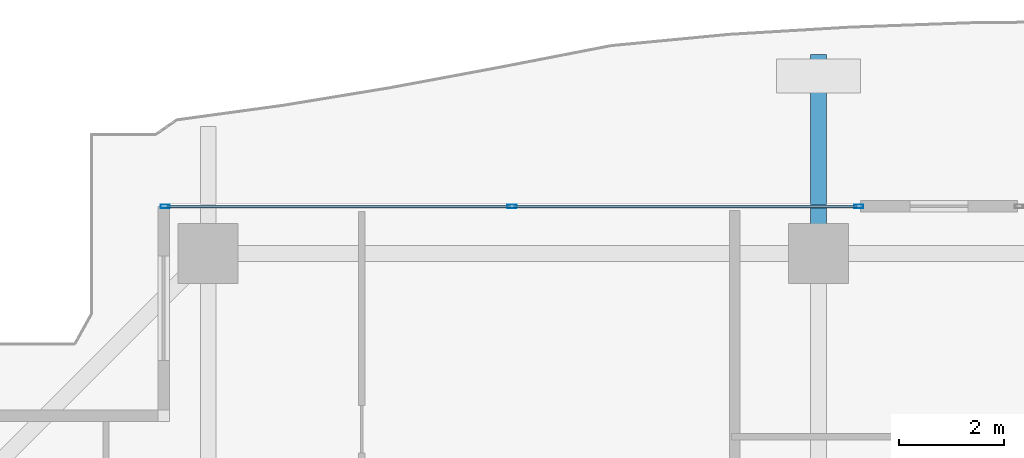
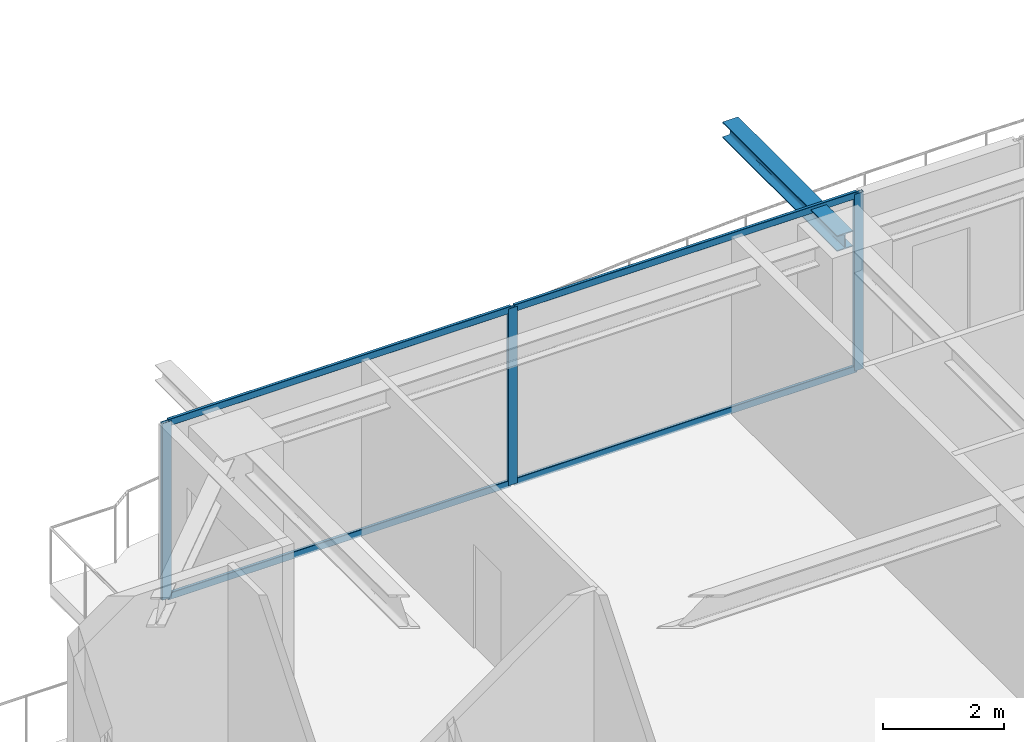
# One storey, part 20 of 37: 7 members, 1 beam, 1 element without a shape of its own.
"""IFC4 building model written with IfcOpenShell, lengths in metres."""

from ifc_helpers import new_model, si_unit, direction, frame, origin, origin_2d, place, context, subcontext, project, spatial, hollow_rectangle, i_section, extrude, source, transform, mapped, material, layer, layer_set, material_profile, profile_set, type_object, element, aggregate, save


model = new_model("IFC4")

# Units and contexts
model_context = context("Model", 3, precision=1e-05, world=origin(), true_north=direction((0.0, 1.0)))
body_context = subcontext(model_context, "Body", "Model", "MODEL_VIEW")
ifc_project = project(units=[si_unit("LENGTHUNIT", "METRE"), si_unit("AREAUNIT", "SQUARE_METRE"), si_unit("VOLUMEUNIT", "CUBIC_METRE"), si_unit("PLANEANGLEUNIT", "RADIAN"), si_unit("MASSUNIT", "GRAM", prefix="KILO")], contexts=[model_context])

# Site, building, storey
site_placement = place(None, origin())
site = spatial("IfcSite", under=ifc_project, at=site_placement, CompositionType="ELEMENT")
building_placement = place(site_placement, origin())
building = spatial("IfcBuilding", under=site, at=building_placement, Name="Serunith Strait Residences", CompositionType="ELEMENT")
storey_placement = place(building_placement, frame((0.0, 0.0, 279.75)))
storey = spatial("IfcBuildingStorey", under=building, at=storey_placement, Name="L70", CompositionType="ELEMENT", Elevation=279.75)

# Beam
ifc_material_1 = material(Name="Steel S355J2", Category="steel")
ifc_material_profile_1 = material_profile(ifc_material_1, i_section(OverallWidth=0.300048828125, OverallDepth=0.320068359375, WebThickness=0.011474609375, FlangeThickness=0.0205078125, FilletRadius=0.027099609375, at=origin_2d()), Name="HEB 320")
ifc_profile_set_1 = profile_set([ifc_material_profile_1], Name="Steel S355J2")
beam_type = type_object("IfcBeamType", Name="BM-HEB320", PredefinedType="BEAM", material=ifc_profile_set_1)
shared_shape_1 = source(origin(), body_context, "Body", "SweptSolid", [
    extrude(i_section(OverallWidth=0.300048828125, OverallDepth=0.320068359375, WebThickness=0.011474609375, FlangeThickness=0.0205078125, FilletRadius=0.027099609375, at=origin_2d()), origin(), (0.0, 0.0, 1.0), 3.800048828125),
])
beam_placement = place(storey_placement, frame((27.89990234375, 48.300048828125, 3.39697265625), z_axis=(0.0, 1.0, 0.0), x_axis=(-1.0, 0.0, 0.0)))
element("IfcBeam", 1, at=beam_placement, inside=storey, type_object=beam_type, Name="L71 Cantilevered Balcony Rib TC-N2", PredefinedType="BEAM", context=body_context, shape_type="MappedRepresentation", body=[
    mapped(shared_shape_1, transform((0.0, 0.0, 0.0), scale=1.0)),
])

# Curtain wall, members
ifc_material_2 = material(Name="Pale-Champagne Anodised Aluminium", Category="aluminium")
ifc_layer = layer(ifc_material_2, 0.199951171875, Name="Pale-Champagne Anodised Aluminium")
ifc_layer_set = layer_set([ifc_layer], Name="Pale-Champagne Anodised Aluminium")
curtain_wall_type = type_object("IfcCurtainWallType", Name="CW-SYS4", PredefinedType="NOTDEFINED", material=ifc_layer_set)
curtain_wall_placement = place(storey_placement, origin())
curtain_wall = element("IfcCurtainWall", 2, at=curtain_wall_placement, inside=storey, type_object=curtain_wall_type, Name="L70 N Unitised Fritted Curtain Wall", PredefinedType="NOTDEFINED")
ifc_material_profile_2 = material_profile(ifc_material_2, hollow_rectangle(XDim=0.06494140625, YDim=0.179931640625, WallThickness=0.00341796875, InnerFilletRadius=0.00537109375, OuterFilletRadius=0.0087890625, at=origin_2d()), Name="ALU 180x65x3.5")
ifc_profile_set_2 = profile_set([ifc_material_profile_2], Name="Pale-Champagne Anodised Aluminium")
member_type_1 = type_object("IfcMemberType", Name="CW-SYS4-MULL", PredefinedType="MULLION", material=ifc_profile_set_2)
shared_shape_2 = source(origin(), body_context, "Body", "SweptSolid", [
    extrude(hollow_rectangle(XDim=0.06494140625, YDim=0.179931640625, WallThickness=0.00341796875, InnerFilletRadius=0.00537109375, OuterFilletRadius=0.0087890625, at=origin_2d()), origin(), (0.0, 0.0, 1.0), 3.574951171875),
])
member_1_placement = place(storey_placement, frame((28.66748046875, 49.199951171875, 0.0), z_axis=(0.0, 0.0, 1.0), x_axis=(0.0, -1.0, 0.0)))
member_1 = element("IfcMember", 3, at=member_1_placement, type_object=member_type_1, Name="CW-4 mullion 1", PredefinedType="MULLION", context=body_context, shape_type="MappedRepresentation", body=[
    mapped(shared_shape_2, transform((0.0, 0.0, 0.0), scale=1.0)),
])
member_2_placement = place(storey_placement, frame((22.050048828125, 49.199951171875, 0.0), z_axis=(0.0, 0.0, 1.0), x_axis=(0.0, -1.0, 0.0)))
member_2 = element("IfcMember", 4, at=member_2_placement, type_object=member_type_1, Name="CW-4 mullion 2", PredefinedType="MULLION", context=body_context, shape_type="MappedRepresentation", body=[
    mapped(shared_shape_2, transform((0.0, 0.0, 0.0), scale=1.0)),
])
member_3_placement = place(storey_placement, frame((15.4326171875, 49.199951171875, 0.0), z_axis=(0.0, 0.0, 1.0), x_axis=(0.0, -1.0, 0.0)))
member_3 = element("IfcMember", 5, at=member_3_placement, type_object=member_type_1, Name="CW-4 mullion 3", PredefinedType="MULLION", context=body_context, shape_type="MappedRepresentation", body=[
    mapped(shared_shape_2, transform((0.0, 0.0, 0.0), scale=1.0)),
])
ifc_material_profile_3 = material_profile(ifc_material_2, hollow_rectangle(XDim=0.06005859375, YDim=0.139892578125, WallThickness=0.00341796875, InnerFilletRadius=0.00537109375, OuterFilletRadius=0.0087890625, at=origin_2d()), Name="ALU 140x60x3.5")
ifc_profile_set_3 = profile_set([ifc_material_profile_3], Name="Pale-Champagne Anodised Aluminium")
member_type_2 = type_object("IfcMemberType", Name="CW-SYS4-TRAN", PredefinedType="USERDEFINED", material=ifc_profile_set_3)
shared_shape_3 = source(origin(), body_context, "Body", "SweptSolid", [
    extrude(hollow_rectangle(XDim=0.06005859375, YDim=0.139892578125, WallThickness=0.00341796875, InnerFilletRadius=0.00537109375, OuterFilletRadius=0.0087890625, at=origin_2d()), origin(), (0.0, 0.0, 1.0), 6.552490234375),
])
member_4_placement = place(storey_placement, frame((28.635009765625, 49.199951171875, 0.030029296875), z_axis=(-1.0, 0.0, 0.0), x_axis=(0.0, -1.0, 0.0)))
member_4 = element("IfcMember", 6, at=member_4_placement, type_object=member_type_2, Name="CW-4 transom 1.1", ObjectType="TRANSOM", PredefinedType="USERDEFINED", context=body_context, shape_type="MappedRepresentation", body=[
    mapped(shared_shape_3, transform((0.0, 0.0, 0.0), scale=1.0)),
])
member_5_placement = place(storey_placement, frame((28.635009765625, 49.199951171875, 3.544921875), z_axis=(-1.0, 0.0, 0.0), x_axis=(0.0, -1.0, 0.0)))
member_5 = element("IfcMember", 7, at=member_5_placement, type_object=member_type_2, Name="CW-4 transom 1.2", ObjectType="TRANSOM", PredefinedType="USERDEFINED", context=body_context, shape_type="MappedRepresentation", body=[
    mapped(shared_shape_3, transform((0.0, 0.0, 0.0), scale=1.0)),
])
member_6_placement = place(storey_placement, frame((22.017578125, 49.199951171875, 0.030029296875), z_axis=(-1.0, 0.0, 0.0), x_axis=(0.0, -1.0, 0.0)))
member_6 = element("IfcMember", 8, at=member_6_placement, type_object=member_type_2, Name="CW-4 transom 2.1", ObjectType="TRANSOM", PredefinedType="USERDEFINED", context=body_context, shape_type="MappedRepresentation", body=[
    mapped(shared_shape_3, transform((0.0, 0.0, 0.0), scale=1.0)),
])
member_7_placement = place(storey_placement, frame((22.017578125, 49.199951171875, 3.544921875), z_axis=(-1.0, 0.0, 0.0), x_axis=(0.0, -1.0, 0.0)))
member_7 = element("IfcMember", 9, at=member_7_placement, type_object=member_type_2, Name="CW-4 transom 2.2", ObjectType="TRANSOM", PredefinedType="USERDEFINED", context=body_context, shape_type="MappedRepresentation", body=[
    mapped(shared_shape_3, transform((0.0, 0.0, 0.0), scale=1.0)),
])
aggregate(curtain_wall, [member_1, member_2, member_3, member_4, member_5, member_6, member_7])

save(model, "model.ifc")
